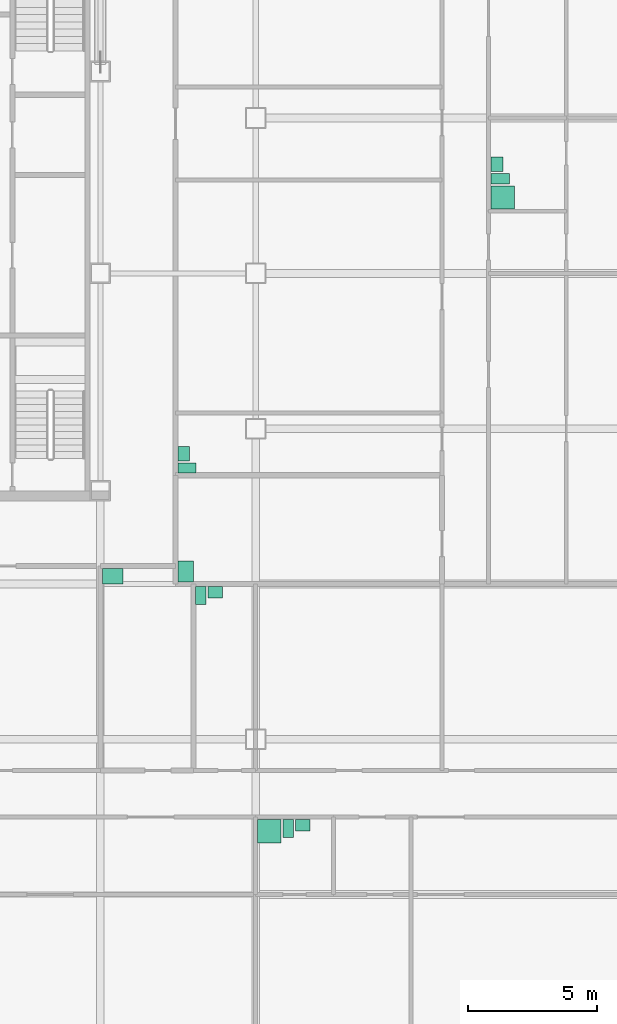
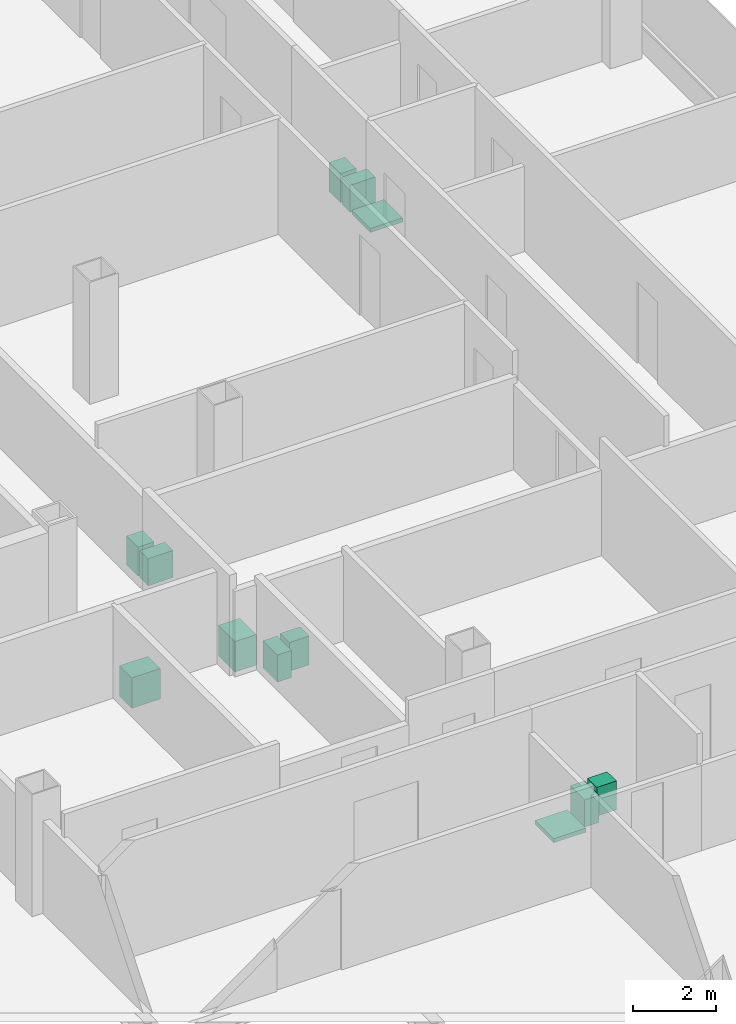
# One storey, part 27 of 28: 12 sanitary terminals.
"""IFC4 building model written with IfcOpenShell, lengths in metres."""

from ifc_helpers import new_model, si_unit, direction, frame, origin, origin_2d, place, context, subcontext, project, spatial, rectangle, extrude, element, save


model = new_model("IFC4")

# Units and contexts
model_context = context("Model", 3, precision=1e-05, world=origin(), true_north=direction((0.0, 1.0)))
body_context = subcontext(model_context, "Body", "Model", "MODEL_VIEW")
ifc_project = project(units=[si_unit("LENGTHUNIT", "METRE"), si_unit("AREAUNIT", "SQUARE_METRE"), si_unit("VOLUMEUNIT", "CUBIC_METRE"), si_unit("PLANEANGLEUNIT", "RADIAN"), si_unit("MASSUNIT", "GRAM", prefix="KILO")], contexts=[model_context])

# Site, building, storey
site_placement = place(None, origin())
site = spatial("IfcSite", under=ifc_project, at=site_placement, CompositionType="ELEMENT")
building_placement = place(site_placement, origin())
building = spatial("IfcBuilding", under=site, at=building_placement, Name="Sorahane Residences", CompositionType="ELEMENT")
storey_placement = place(building_placement, frame((0.0, 0.0, 60.60009765625)))
storey = spatial("IfcBuildingStorey", under=building, at=storey_placement, Name="L11", CompositionType="ELEMENT", Elevation=60.60009765625)

# Sanitary terminals
sanitary_terminal_1_placement = place(storey_placement, frame((48.530029296875, 8.449951171875, -0.000244140625), z_axis=(0.0, 0.0, 1.0), x_axis=(1.0, 0.0, 0.0)))
element("IfcSanitaryTerminal", 1, at=sanitary_terminal_1_placement, inside=storey, Name="Shower tray En-suite bathroom 11B", PredefinedType="SHOWER", context=body_context, shape_type="SweptSolid", body=[
    extrude(rectangle(XDim=0.89990234375, YDim=0.89990234375, at=origin_2d()), origin(), (0.0, 0.0, 1.0), 0.1201171875),
])
sanitary_terminal_2_placement = place(storey_placement, frame((49.260009765625, 8.550048828125, 0.0), z_axis=(0.0, 0.0, 1.0), x_axis=(1.0, 0.0, 0.0)))
element("IfcSanitaryTerminal", 2, at=sanitary_terminal_2_placement, inside=storey, Name="WC pan En-suite bathroom 11B", PredefinedType="TOILETPAN", context=body_context, shape_type="SweptSolid", body=[
    extrude(rectangle(XDim=0.39990234375, YDim=0.699951171875, at=origin_2d()), origin(), (0.0, 0.0, 1.0), 0.800048828125),
])
sanitary_terminal_3_placement = place(storey_placement, frame((49.81494140625, 8.675048828125, -0.000244140625), z_axis=(0.0, 0.0, 1.0), x_axis=(1.0, 0.0, 0.0)))
element("IfcSanitaryTerminal", 3, at=sanitary_terminal_3_placement, inside=storey, Name="Wash basin En-suite bathroom 11B", PredefinedType="WASHHANDBASIN", context=body_context, shape_type="SweptSolid", body=[
    extrude(rectangle(XDim=0.550048828125, YDim=0.449951171875, at=origin_2d()), origin(), (0.0, 0.0, 1.0), 0.85009765625),
])
sanitary_terminal_4_placement = place(storey_placement, frame((42.47998046875, 18.300048828125, 0.0), z_axis=(0.0, 0.0, 1.0), x_axis=(1.0, 0.0, 0.0)))
element("IfcSanitaryTerminal", 4, at=sanitary_terminal_4_placement, inside=storey, Name="Kitchen sink Kitchen 11B", PredefinedType="SINK", context=body_context, shape_type="SweptSolid", body=[
    extrude(rectangle(XDim=0.800048828125, YDim=0.60009765625, at=origin_2d()), origin(), (0.0, 0.0, 1.0), 0.89990234375),
])
sanitary_terminal_5_placement = place(storey_placement, frame((45.8798828125, 17.550048828125, 0.0), z_axis=(0.0, 0.0, 1.0), x_axis=(1.0, 0.0, 0.0)))
element("IfcSanitaryTerminal", 5, at=sanitary_terminal_5_placement, inside=storey, Name="WC pan Powder room 11B", PredefinedType="TOILETPAN", context=body_context, shape_type="SweptSolid", body=[
    extrude(rectangle(XDim=0.39990234375, YDim=0.699951171875, at=origin_2d()), origin(), (0.0, 0.0, 1.0), 0.800048828125),
])
sanitary_terminal_6_placement = place(storey_placement, frame((46.43505859375, 17.675048828125, -0.000244140625), z_axis=(0.0, 0.0, 1.0), x_axis=(1.0, 0.0, 0.0)))
element("IfcSanitaryTerminal", 6, at=sanitary_terminal_6_placement, inside=storey, Name="Wash basin Powder room 11B", PredefinedType="WASHHANDBASIN", context=body_context, shape_type="SweptSolid", body=[
    extrude(rectangle(XDim=0.550048828125, YDim=0.449951171875, at=origin_2d()), origin(), (0.0, 0.0, 1.0), 0.85009765625),
])
sanitary_terminal_7_placement = place(storey_placement, frame((57.550048828125, 32.929931640625, -0.000244140625), z_axis=(0.0, 0.0, 1.0), x_axis=(0.0, 1.0, 0.0)))
element("IfcSanitaryTerminal", 7, at=sanitary_terminal_7_placement, inside=storey, Name="Shower tray En-suite bathroom 11C", PredefinedType="SHOWER", context=body_context, shape_type="SweptSolid", body=[
    extrude(rectangle(XDim=0.89990234375, YDim=0.89990234375, at=origin_2d()), origin(), (0.0, 0.0, 1.0), 0.1201171875),
])
sanitary_terminal_8_placement = place(storey_placement, frame((57.449951171875, 33.659912109375, 0.0), z_axis=(0.0, 0.0, 1.0), x_axis=(0.0, 1.0, 0.0)))
element("IfcSanitaryTerminal", 8, at=sanitary_terminal_8_placement, inside=storey, Name="WC pan En-suite bathroom 11C", PredefinedType="TOILETPAN", context=body_context, shape_type="SweptSolid", body=[
    extrude(rectangle(XDim=0.39990234375, YDim=0.699951171875, at=origin_2d()), origin(), (0.0, 0.0, 1.0), 0.800048828125),
])
sanitary_terminal_9_placement = place(storey_placement, frame((57.324951171875, 34.215087890625, -0.000244140625), z_axis=(0.0, 0.0, 1.0), x_axis=(0.0, 1.0, 0.0)))
element("IfcSanitaryTerminal", 9, at=sanitary_terminal_9_placement, inside=storey, Name="Wash basin En-suite bathroom 11C", PredefinedType="WASHHANDBASIN", context=body_context, shape_type="SweptSolid", body=[
    extrude(rectangle(XDim=0.550048828125, YDim=0.449951171875, at=origin_2d()), origin(), (0.0, 0.0, 1.0), 0.85009765625),
])
sanitary_terminal_10_placement = place(storey_placement, frame((45.300048828125, 18.47998046875, 0.0), z_axis=(0.0, 0.0, 1.0), x_axis=(0.0, 1.0, 0.0)))
element("IfcSanitaryTerminal", 10, at=sanitary_terminal_10_placement, inside=storey, Name="Kitchen sink Kitchen 11C", PredefinedType="SINK", context=body_context, shape_type="SweptSolid", body=[
    extrude(rectangle(XDim=0.800048828125, YDim=0.60009765625, at=origin_2d()), origin(), (0.0, 0.0, 1.0), 0.89990234375),
])
sanitary_terminal_11_placement = place(storey_placement, frame((45.35009765625, 22.47998046875, 0.0), z_axis=(0.0, 0.0, 1.0), x_axis=(0.0, 1.0, 0.0)))
element("IfcSanitaryTerminal", 11, at=sanitary_terminal_11_placement, inside=storey, Name="WC pan Powder room 11C", PredefinedType="TOILETPAN", context=body_context, shape_type="SweptSolid", body=[
    extrude(rectangle(XDim=0.39990234375, YDim=0.699951171875, at=origin_2d()), origin(), (0.0, 0.0, 1.0), 0.800048828125),
])
sanitary_terminal_12_placement = place(storey_placement, frame((45.22509765625, 23.034912109375, -0.000244140625), z_axis=(0.0, 0.0, 1.0), x_axis=(0.0, 1.0, 0.0)))
element("IfcSanitaryTerminal", 12, at=sanitary_terminal_12_placement, inside=storey, Name="Wash basin Powder room 11C", PredefinedType="WASHHANDBASIN", context=body_context, shape_type="SweptSolid", body=[
    extrude(rectangle(XDim=0.550048828125, YDim=0.449951171875, at=origin_2d()), origin(), (0.0, 0.0, 1.0), 0.85009765625),
])

save(model, "model.ifc")
